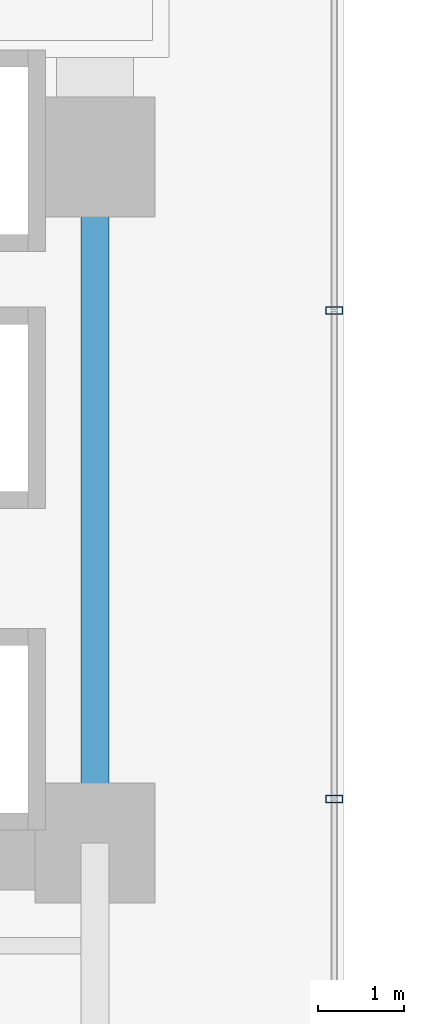
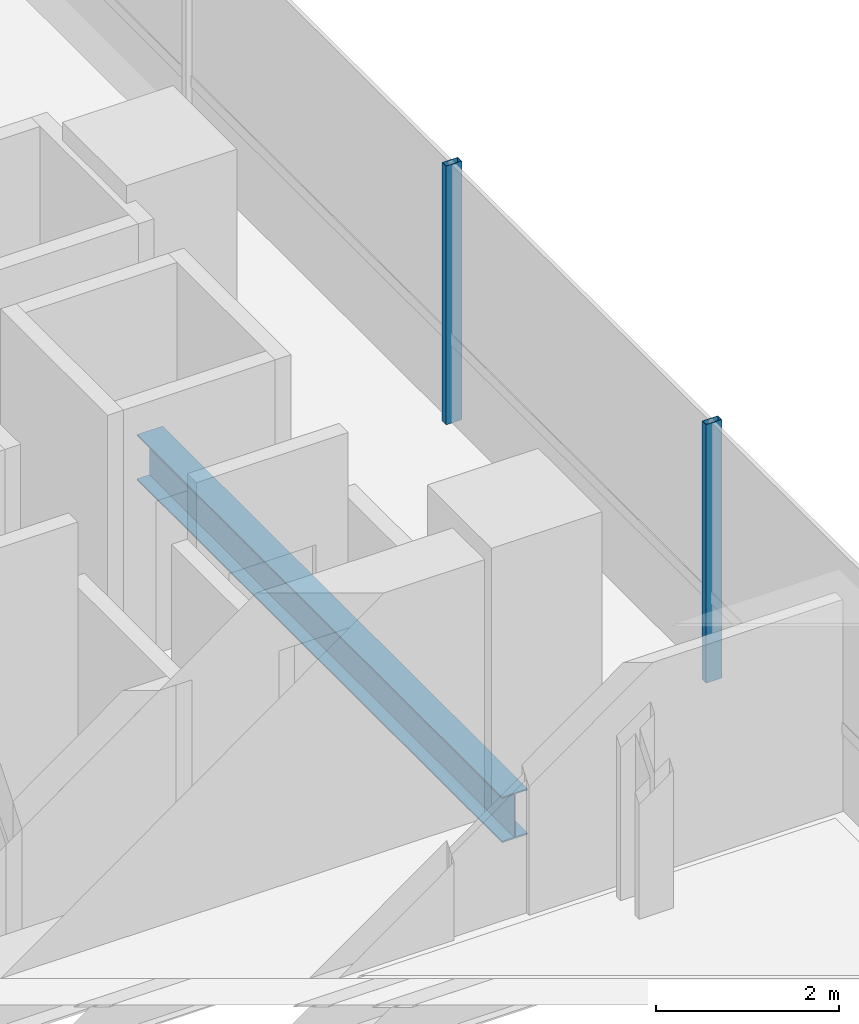
# One storey, part 6 of 42: 2 members, 1 beam, 1 element without a shape of its own.
"""IFC4 building model written with IfcOpenShell, lengths in metres."""

import ifcopenshell
import ifcopenshell.guid

model = None  # the IFC model being written
_history = None  # IfcOwnerHistory: only IFC2X3 demands one
_inside = {}  # id of a spatial element -> (the spatial element, [elements in it])
_under = {}  # id of a project, library or spatial element -> (it, [spatial elements below it])
_declared = {}  # id of a project -> (the project, [libraries it declares])
_typed = {}  # id of a type object -> (the type object, [elements of that type])
_made_of = {}  # id of a material, layer set ... -> (it, [elements and type objects made of it])


def new_model(schema):
    """Start an empty IFC model of exactly this schema.

    Asked for "IFC4X3", IfcOpenShell would pick the latest addendum, in which some entities
    have other attributes; the version numbers below select the first issue.
    IFC2X3 requires an IfcOwnerHistory on every rooted entity: one is made here for all.
    """
    global model, _history
    if schema == "IFC4X3":
        model = ifcopenshell.file(schema_version=(4, 3, 0, 0))
    else:
        model = ifcopenshell.file(schema=schema)
    _inside.clear()
    _under.clear()
    _declared.clear()
    _typed.clear()
    _made_of.clear()
    _history = None
    if model.schema == "IFC2X3":
        org = make("IfcOrganization", Name="unknown")
        user = make(
            "IfcPersonAndOrganization",
            ThePerson=make("IfcPerson", FamilyName="unknown"),
            TheOrganization=org,
        )
        app = make(
            "IfcApplication",
            ApplicationDeveloper=org,
            Version="unknown",
            ApplicationFullName="unknown",
            ApplicationIdentifier="unknown",
        )
        _history = make(
            "IfcOwnerHistory",
            OwningUser=user,
            OwningApplication=app,
            ChangeAction="ADDED",
            CreationDate=0,
        )
    return model


def make(cls, **values):
    """One entity of the class cls with the attributes given. An attribute that is None is left unset."""
    return model.create_entity(
        cls, **{name: value for name, value in values.items() if value is not None}
    )


def rooted(cls, **values):
    """An entity with a GlobalId (a new one), such as an element, a storey or a relation."""
    return make(cls, GlobalId=ifcopenshell.guid.new(), OwnerHistory=_history, **values)


def si_unit(unit_type, name, prefix=None):
    """IfcSIUnit, for example si_unit("LENGTHUNIT", "METRE", prefix="MILLI")."""
    return make("IfcSIUnit", UnitType=unit_type, Prefix=prefix, Name=name)


def assignment(units):
    """IfcUnitAssignment: the units of a project."""
    return None if units is None else make("IfcUnitAssignment", Units=units)


def point(xyz):
    """IfcCartesianPoint."""
    return None if xyz is None else make("IfcCartesianPoint", Coordinates=xyz)


def direction(xyz):
    """IfcDirection."""
    return None if xyz is None else make("IfcDirection", DirectionRatios=xyz)


def frame(location, z_axis=None, x_axis=None):
    """IfcAxis2Placement3D, a coordinate frame: its origin and axes. An axis left out is left unset."""
    return make(
        "IfcAxis2Placement3D",
        Location=point(location),
        Axis=direction(z_axis),
        RefDirection=direction(x_axis),
    )


def frame_2d(location, x_axis=None):
    """IfcAxis2Placement2D, a coordinate frame in the plane: its origin and x axis."""
    return make(
        "IfcAxis2Placement2D", Location=point(location), RefDirection=direction(x_axis)
    )


def origin():
    """The frame at (0, 0, 0) with its axes left unset."""
    return frame((0.0, 0.0, 0.0))


def origin_2d():
    """The frame at (0, 0) in the plane with its x axis left unset."""
    return frame_2d((0.0, 0.0))


def place(relative_to, where):
    """IfcLocalPlacement: puts the frame where relative to a parent placement (None: the world)."""
    return make(
        "IfcLocalPlacement", PlacementRelTo=relative_to, RelativePlacement=where
    )


def context(
    kind, dimensions, precision=None, world=None, true_north=None, identifier=None
):
    """IfcGeometricRepresentationContext, for example the 3D "Model" context."""
    return make(
        "IfcGeometricRepresentationContext",
        ContextIdentifier=identifier,
        ContextType=kind,
        CoordinateSpaceDimension=dimensions,
        Precision=precision,
        WorldCoordinateSystem=world,
        TrueNorth=true_north,
    )


def subcontext(parent, identifier, kind, view, scale=None):
    """IfcGeometricRepresentationSubContext, for example "Body" below "Model"."""
    return make(
        "IfcGeometricRepresentationSubContext",
        ContextIdentifier=identifier,
        ContextType=kind,
        ParentContext=parent,
        TargetScale=scale,
        TargetView=view,
    )


def project(units=None, contexts=None):
    """IfcProject with its units and contexts."""
    return rooted(
        "IfcProject",
        Name="project",
        RepresentationContexts=contexts,
        UnitsInContext=assignment(units),
    )


def spatial(cls, under=None, at=None, **own):
    """A site, building, storey or space (cls), placed at a placement, below another one or the project."""
    s = rooted(cls, ObjectPlacement=at, **own)
    if under is not None:
        _under.setdefault(under.id(), (under, []))[1].append(s)
    return s


def profile(cls, at=None, kind="AREA", **sizes):
    """A parametric profile (cls). Its sizes go by their IFC names, for example OverallWidth=200.0."""
    return make(cls, ProfileType=kind, Position=at, **sizes)


def hollow_rectangle(**sizes):
    """IfcRectangleHollowProfileDef."""
    return profile("IfcRectangleHollowProfileDef", **sizes)


def i_section(**sizes):
    """IfcIShapeProfileDef."""
    return profile("IfcIShapeProfileDef", **sizes)


def extrude(swept, where, along, depth):
    """IfcExtrudedAreaSolid: the profile swept, set in the frame where, extruded along a direction by depth."""
    return make(
        "IfcExtrudedAreaSolid",
        SweptArea=swept,
        Position=where,
        ExtrudedDirection=direction(along),
        Depth=depth,
    )


def shape(context_of_items, identifier, shape_type, items):
    """IfcShapeRepresentation: the items that make up one representation, for example the "Body"."""
    return make(
        "IfcShapeRepresentation",
        ContextOfItems=context_of_items,
        RepresentationIdentifier=identifier,
        RepresentationType=shape_type,
        Items=items,
    )


def source(mapping_origin, context_of_items, identifier, shape_type, items):
    """IfcRepresentationMap: a shape defined once, which mapped items show again and again."""
    return make(
        "IfcRepresentationMap",
        MappingOrigin=mapping_origin,
        MappedRepresentation=shape(context_of_items, identifier, shape_type, items),
    )


def transform(
    local_origin,
    x_axis=None,
    y_axis=None,
    z_axis=None,
    scale=None,
    scale2=None,
    scale3=None,
    uniform=True,
):
    """IfcCartesianTransformationOperator3D, or its non-uniform kind. x_axis, y_axis, z_axis: its Axis1, 2, 3."""
    if uniform:
        return make(
            "IfcCartesianTransformationOperator3D",
            Axis1=direction(x_axis),
            Axis2=direction(y_axis),
            LocalOrigin=point(local_origin),
            Scale=scale,
            Axis3=direction(z_axis),
        )
    return make(
        "IfcCartesianTransformationOperator3DnonUniform",
        Axis1=direction(x_axis),
        Axis2=direction(y_axis),
        LocalOrigin=point(local_origin),
        Scale=scale,
        Axis3=direction(z_axis),
        Scale2=scale2,
        Scale3=scale3,
    )


def mapped(mapping_source, mapping_target):
    """IfcMappedItem: shows the shape of a source again, moved by a transform."""
    return make(
        "IfcMappedItem", MappingSource=mapping_source, MappingTarget=mapping_target
    )


def material(Name=None, Category=None):
    """IfcMaterial."""
    return make("IfcMaterial", Name=Name, Category=Category)


def material_profile(
    of_material, cross_section, Name=None, Category=None, Priority=None
):
    """IfcMaterialProfile: a cross section and its material."""
    return make(
        "IfcMaterialProfile",
        Name=Name,
        Material=of_material,
        Profile=cross_section,
        Priority=Priority,
        Category=Category,
    )


def profile_set(profiles, Name=None, composite=None):
    """IfcMaterialProfileSet."""
    return make(
        "IfcMaterialProfileSet",
        Name=Name,
        MaterialProfiles=profiles,
        CompositeProfile=composite,
    )


def made_of(thing, what):
    """Note that an element or type object is made of a material, layer set ...; save() writes the relation."""
    if what is not None:
        _made_of.setdefault(what.id(), (what, []))[1].append(thing)
    return thing


def type_object(cls, material=None, **own):
    """A type object (cls), such as IfcWallType, which elements share."""
    return made_of(rooted(cls, **own), material)


def element(
    cls,
    number,
    at=None,
    inside=None,
    cuts=None,
    type_object=None,
    material=None,
    context=None,
    identifier="Body",
    shape_type=None,
    held_by="IfcProductDefinitionShape",
    body=None,
    shapes=None,
    **own,
):
    """One element of the class cls, such as IfcWall. Its Tag is "e" and its number.

    at: its placement. inside: the storey or other place that contains it. cuts: it is an
    opening in that element (IfcRelVoidsElement). A single representation is given by context,
    identifier, shape_type and body (its items); several are given by shapes. held_by: the class
    of the entity that holds the representations. save() writes the other relations.
    """
    e = rooted(cls, Tag="e%d" % number, ObjectPlacement=at, **own)
    if body is not None:
        shapes = [shape(context, identifier, shape_type, body)]
    if shapes is not None:
        e.Representation = make(held_by, Representations=shapes)
    if inside is not None:
        _inside.setdefault(inside.id(), (inside, []))[1].append(e)
    if cuts is not None:
        rooted(
            "IfcRelVoidsElement", RelatingBuildingElement=cuts, RelatedOpeningElement=e
        )
    if type_object is not None:
        _typed.setdefault(type_object.id(), (type_object, []))[1].append(e)
    return made_of(e, material)


def aggregate(whole, parts):
    """IfcRelAggregates: a whole, such as a stair, and the parts it consists of."""
    return rooted("IfcRelAggregates", RelatingObject=whole, RelatedObjects=parts)


def save(model, path):
    """Write the relations noted so far, then the file.

    IfcRelAggregates (storeys below a building ...), IfcRelContainedInSpatialStructure (elements
    in a storey), IfcRelDefinesByType, IfcRelAssociatesMaterial and IfcRelDeclares: one each for
    every whole, place, type object, material and project.
    """
    for whole, parts in _under.values():
        aggregate(whole, parts)
    for where, things in _inside.values():
        rooted(
            "IfcRelContainedInSpatialStructure",
            RelatedElements=things,
            RelatingStructure=where,
        )
    for kind, things in _typed.values():
        rooted("IfcRelDefinesByType", RelatedObjects=things, RelatingType=kind)
    for what, things in _made_of.values():
        rooted("IfcRelAssociatesMaterial", RelatedObjects=things, RelatingMaterial=what)
    for by, libraries in _declared.values():
        rooted("IfcRelDeclares", RelatingContext=by, RelatedDefinitions=libraries)
    model.write(path)


model = new_model("IFC4")

# Units and contexts
model_context = context("Model", 3, precision=1e-05, world=origin(), true_north=direction((0.0, 1.0)))
body_context = subcontext(model_context, "Body", "Model", "MODEL_VIEW")
ifc_project = project(units=[si_unit("LENGTHUNIT", "METRE"), si_unit("AREAUNIT", "SQUARE_METRE"), si_unit("VOLUMEUNIT", "CUBIC_METRE"), si_unit("PLANEANGLEUNIT", "RADIAN"), si_unit("MASSUNIT", "GRAM", prefix="KILO")], contexts=[model_context])

# Site, building, storey
site_placement = place(None, origin())
site = spatial("IfcSite", under=ifc_project, at=site_placement, CompositionType="ELEMENT")
building_placement = place(site_placement, origin())
building = spatial("IfcBuilding", under=site, at=building_placement, Name="Valdorenza Pilgrim Sanctuary Tower", CompositionType="ELEMENT")
storey_placement = place(building_placement, frame((0.0, 0.0, 55.60009765625)))
storey = spatial("IfcBuildingStorey", under=building, at=storey_placement, Name="L13", CompositionType="ELEMENT", Elevation=55.60009765625)

# Beam
ifc_material_1 = material(Name="Steel ASTM A992 Grade 50", Category="steel")
ifc_material_profile_1 = material_profile(ifc_material_1, i_section(OverallWidth=0.323974609375, OverallDepth=0.611083984375, WebThickness=0.0126953125, FlangeThickness=0.01904296875, at=origin_2d()), Name="W24X104")
ifc_profile_set_1 = profile_set([ifc_material_profile_1], Name="Steel ASTM A992 Grade 50")
beam_type = type_object("IfcBeamType", Name="STR-BM-GRD-W24B", PredefinedType="BEAM", material=ifc_profile_set_1)
shared_shape_1 = source(origin(), body_context, "Body", "SweptSolid", [
    extrude(i_section(OverallWidth=0.323974609375, OverallDepth=0.611083984375, WebThickness=0.0126953125, FlangeThickness=0.01904296875, at=origin_2d()), origin(), (0.0, 0.0, 1.0), 8.0),
])
beam_placement = place(storey_placement, frame((-12.39990234375, -10.60009765625, -0.545654296875), z_axis=(0.0, 1.0, 0.0), x_axis=(-1.0, 0.0, 0.0)))
element("IfcBeam", 1, at=beam_placement, inside=storey, type_object=beam_type, Name="L13 Core Tie Girder CA-E-S1M0", PredefinedType="BEAM", context=body_context, shape_type="MappedRepresentation", body=[
    mapped(shared_shape_1, transform((0.0, 0.0, 0.0), x_axis=(1.0, 0.0, 0.0), y_axis=(0.0, 1.0, 0.0), z_axis=(0.0, 0.0, 1.0), scale=1.0)),
])

# Curtain wall, members
ifc_material_2 = material(Name="Curtain-wall IGU glazing", Category="glass")
curtain_wall_type = type_object("IfcCurtainWallType", Name="CW-SYS-02", PredefinedType="NOTDEFINED", material=ifc_material_2)
curtain_wall_placement = place(storey_placement, origin())
curtain_wall = element("IfcCurtainWall", 2, at=curtain_wall_placement, inside=storey, type_object=curtain_wall_type, Name="L13 Curtain Wall CW-L13-1-41", PredefinedType="NOTDEFINED")
ifc_material_3 = material(Name="Anodised aluminium AW-6060", Category="aluminium")
ifc_material_profile_2 = material_profile(ifc_material_3, hollow_rectangle(XDim=0.0849609375, YDim=0.199951171875, WallThickness=0.0048828125, at=origin_2d()), Name="ALU-M 200x85x5")
ifc_profile_set_2 = profile_set([ifc_material_profile_2], Name="Anodised aluminium AW-6060")
member_type = type_object("IfcMemberType", Name="CW-MUL-02", PredefinedType="MULLION", material=ifc_profile_set_2)
shared_shape_2 = source(origin(), body_context, "Body", "SweptSolid", [
    extrude(hollow_rectangle(XDim=0.0849609375, YDim=0.199951171875, WallThickness=0.0048828125, at=origin_2d()), origin(), (0.0, 0.0, 1.0), 3.4599609375),
])
member_1_placement = place(storey_placement, frame((-9.610107421875, -4.38916015625, 0.0), z_axis=(0.0, 0.0, 1.0), x_axis=(0.0, -1.0, 0.0)))
member_1 = element("IfcMember", 3, at=member_1_placement, type_object=member_type, Name="CW-L13-1-41 Mullion 3", PredefinedType="MULLION", context=body_context, shape_type="MappedRepresentation", body=[
    mapped(shared_shape_2, transform((0.0, 0.0, 0.0), x_axis=(1.0, 0.0, 0.0), y_axis=(0.0, 1.0, 0.0), z_axis=(0.0, 0.0, 1.0), scale=1.0)),
])
member_2_placement = place(storey_placement, frame((-9.610107421875, -10.089111328125, 0.0), z_axis=(0.0, 0.0, 1.0), x_axis=(0.0, -1.0, 0.0)))
member_2 = element("IfcMember", 4, at=member_2_placement, type_object=member_type, Name="CW-L13-1-41 Mullion 4", PredefinedType="MULLION", context=body_context, shape_type="MappedRepresentation", body=[
    mapped(shared_shape_2, transform((0.0, 0.0, 0.0), x_axis=(1.0, 0.0, 0.0), y_axis=(0.0, 1.0, 0.0), z_axis=(0.0, 0.0, 1.0), scale=1.0)),
])
aggregate(curtain_wall, [member_1, member_2])

save(model, "model.ifc")
